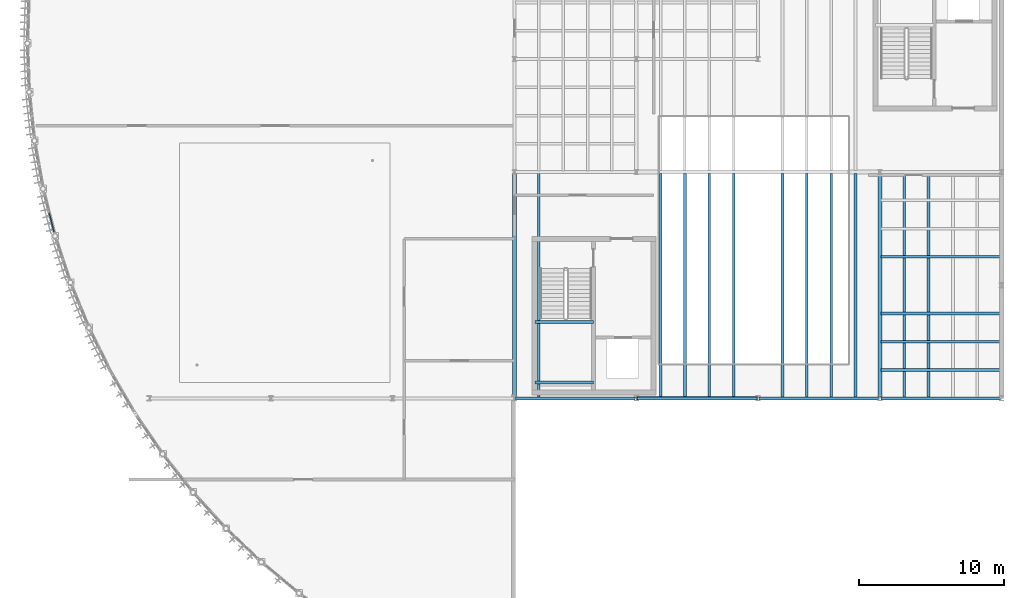
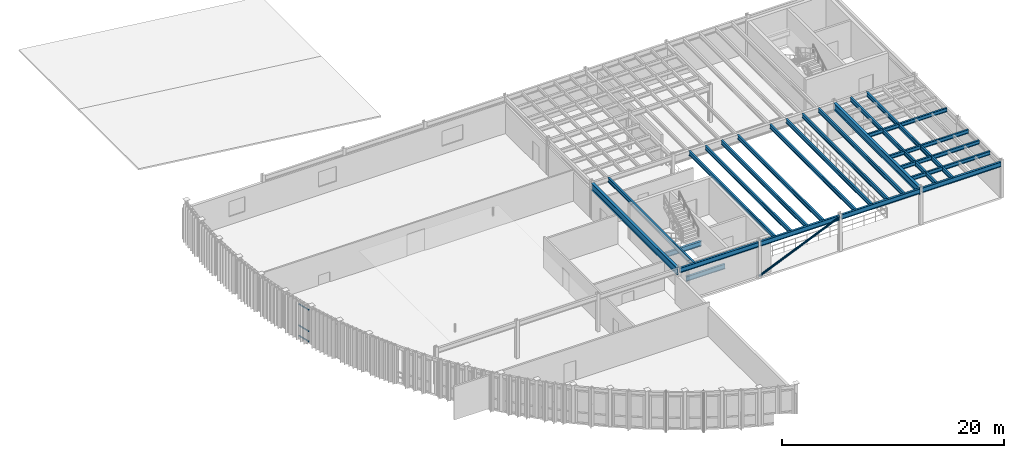
# One storey, part 12 of 26: 23 beams, 4 members, 1 element without a shape of its own.
"""IFC4 building model written with IfcOpenShell, lengths in metres."""

from ifc_helpers import new_model, si_unit, direction, frame, origin, origin_2d, place, context, subcontext, project, spatial, hollow_rectangle, hollow_circle, i_section, extrude, material, layer, layer_set, material_profile, profile_set, type_object, element, aggregate, save


model = new_model("IFC4")

# Units and contexts
model_context = context("Model", 3, precision=1e-05, world=origin(), true_north=direction((0.0, 1.0)))
body_context = subcontext(model_context, "Body", "Model", "MODEL_VIEW")
ifc_project = project(units=[si_unit("LENGTHUNIT", "METRE"), si_unit("AREAUNIT", "SQUARE_METRE"), si_unit("VOLUMEUNIT", "CUBIC_METRE"), si_unit("PLANEANGLEUNIT", "RADIAN"), si_unit("MASSUNIT", "GRAM", prefix="KILO")], contexts=[model_context])

# Site, building, storey
site_placement = place(None, origin())
site = spatial("IfcSite", under=ifc_project, at=site_placement, CompositionType="ELEMENT")
building_placement = place(site_placement, origin())
building = spatial("IfcBuilding", under=site, at=building_placement, Name="Selat Folded Stagehouse", CompositionType="ELEMENT")
storey_placement = place(building_placement, frame((0.0, 0.0, 23.39990234375)))
storey = spatial("IfcBuildingStorey", under=building, at=storey_placement, Name="L05", CompositionType="ELEMENT", Elevation=23.39990234375)

# Beams
ifc_material_1 = material(Name="Steel S355", Category="steel")
ifc_material_profile_1 = material_profile(ifc_material_1, i_section(OverallWidth=0.209228515625, OverallDepth=0.533203125, WebThickness=0.010009765625, FlangeThickness=0.015625, FilletRadius=0.0126953125, at=origin_2d()), Name="UKB 533x210x92")
ifc_profile_set_1 = profile_set([ifc_material_profile_1], Name="Steel S355")
beam_type_1 = type_object("IfcBeamType", Name="BM-GIRD-533x210x92", PredefinedType="BEAM", material=ifc_profile_set_1)
for number, where, z_axis, x_axis, name in (
    (1, (33.679931640625, 23.39990234375, 3.6884765625), (1.0, 0.0, 0.0), (0.0, 1.0, 0.0), "L05 primary x-girder 1422"),
    (2, (42.080078125, 23.39990234375, 3.6884765625), (1.0, 0.0, 0.0), (0.0, 1.0, 0.0), "L05 primary x-girder 1423"),
    (3, (50.47998046875, 23.39990234375, 3.6884765625), (1.0, 0.0, 0.0), (0.0, 1.0, 0.0), "L05 primary x-girder 1424"),
):
    element("IfcBeam", number, at=place(storey_placement, frame(where, z_axis=z_axis, x_axis=x_axis)), inside=storey, type_object=beam_type_1, Name=name, PredefinedType="BEAM", context=body_context, shape_type="SweptSolid", body=[
        extrude(i_section(OverallWidth=0.209228515625, OverallDepth=0.533203125, WebThickness=0.010009765625, FlangeThickness=0.015625, FilletRadius=0.0126953125, at=origin_2d()), origin(), (0.0, 0.0, 1.0), 8.239990234375),
    ])
beam_1_placement = place(storey_placement, frame((58.8798828125, 23.39990234375, 3.6884765625), z_axis=(1.0, 0.0, 0.0), x_axis=(0.0, 1.0, 0.0)))
element("IfcBeam", 4, at=beam_1_placement, inside=storey, type_object=beam_type_1, Name="L05 primary x-girder 1425", PredefinedType="BEAM", context=body_context, shape_type="SweptSolid", body=[
    extrude(i_section(OverallWidth=0.209228515625, OverallDepth=0.533203125, WebThickness=0.010009765625, FlangeThickness=0.015625, FilletRadius=0.0126953125, at=origin_2d()), origin(), (0.0, 0.0, 1.0), 8.240234375),
])
for number, where, z_axis, x_axis, name in (
    (5, (35.0, 24.489990234375, 1.633544921875), (1.0, 0.0, 0.0), (0.0, 1.0, 0.0), "L05 ST-01 landing support beam 1"),
    (6, (35.0, 28.669921875, 1.633544921875), (1.0, 0.0, 0.0), (0.0, 1.0, 0.0), "L05 ST-01 landing support beam 2"),
):
    element("IfcBeam", number, at=place(storey_placement, frame(where, z_axis=z_axis, x_axis=x_axis)), inside=storey, type_object=beam_type_1, Name=name, PredefinedType="BEAM", context=body_context, shape_type="SweptSolid", body=[
        extrude(i_section(OverallWidth=0.209228515625, OverallDepth=0.533203125, WebThickness=0.010009765625, FlangeThickness=0.015625, FilletRadius=0.0126953125, at=origin_2d()), origin(), (0.0, 0.0, 1.0), 4.050048828125),
    ])
ifc_material_profile_2 = material_profile(ifc_material_1, i_section(OverallWidth=0.26806640625, OverallDepth=0.769775390625, WebThickness=0.015625, FlangeThickness=0.025390625, FilletRadius=0.0166015625, at=origin_2d()), Name="UKB 762x267x197")
ifc_profile_set_2 = profile_set([ifc_material_profile_2], Name="Steel S355")
beam_type_2 = type_object("IfcBeamType", Name="BM-GIRD-762x267x197", PredefinedType="BEAM", material=ifc_profile_set_2)
for number, where, z_axis, x_axis, name in (
    (7, (33.60009765625, 23.47998046875, 3.5703125), (0.0, 1.0, 0.0), (-1.0, 0.0, 0.0), "L05 primary y-girder 1438"),
    (8, (58.800048828125, 23.47998046875, 3.5703125), (0.0, 1.0, 0.0), (-1.0, 0.0, 0.0), "L05 primary y-girder 1444"),
):
    element("IfcBeam", number, at=place(storey_placement, frame(where, z_axis=z_axis, x_axis=x_axis)), inside=storey, type_object=beam_type_2, Name=name, PredefinedType="BEAM", context=body_context, shape_type="SweptSolid", body=[
        extrude(i_section(OverallWidth=0.26806640625, OverallDepth=0.769775390625, WebThickness=0.015625, FlangeThickness=0.025390625, FilletRadius=0.0166015625, at=origin_2d()), origin(), (0.0, 0.0, 1.0), 15.43994140625),
    ])

# Curtain wall, members
ifc_material_2 = material(Name="Aluminium 6063-T6", Category="aluminium")
ifc_layer = layer(ifc_material_2, 0.18505859375)
ifc_layer_set = layer_set([ifc_layer], Name="Aluminium 6063-T6")
curtain_wall_type = type_object("IfcCurtainWallType", Name="CW-DRM-UPPER", PredefinedType="NOTDEFINED", material=ifc_layer_set)
curtain_wall_placement = place(storey_placement, origin())
curtain_wall = element("IfcCurtainWall", 9, at=curtain_wall_placement, inside=storey, type_object=curtain_wall_type, Name="L05 curtain wall CW-DRM-L05-05", PredefinedType="NOTDEFINED")
ifc_material_profile_3 = material_profile(ifc_material_2, hollow_rectangle(XDim=0.06494140625, YDim=0.139892578125, WallThickness=0.00390625, at=origin_2d()), Name="ALU 140x65x4.0")
ifc_profile_set_3 = profile_set([ifc_material_profile_3], Name="Aluminium 6063-T6")
member_type_1 = type_object("IfcMemberType", Name="CWM-TRN-140x65", PredefinedType="USERDEFINED", material=ifc_profile_set_3)
member_1_placement = place(storey_placement, frame((1.835693359375, 34.88916015625, 0.03271484375), z_axis=(-0.245584768356, 0.969375119111, 0.0), x_axis=(-0.969375119111, -0.245584768356, 0.0)))
member_1 = element("IfcMember", 10, at=member_1_placement, type_object=member_type_1, Name="CW-03 transom 1.1", ObjectType="TRANSOM", PredefinedType="USERDEFINED", context=body_context, shape_type="SweptSolid", body=[
    extrude(hollow_rectangle(XDim=0.06494140625, YDim=0.139892578125, WallThickness=0.00390625, at=origin_2d()), origin(), (0.0, 0.0, 1.0), 1.337158203125),
])
member_2_placement = place(storey_placement, frame((1.835693359375, 34.88916015625, 1.150146484375), z_axis=(-0.245584768356, 0.969375119111, 0.0), x_axis=(-0.969375119111, -0.245584768356, 0.0)))
member_2 = element("IfcMember", 11, at=member_2_placement, type_object=member_type_1, Name="CW-03 transom 1.2", ObjectType="TRANSOM", PredefinedType="USERDEFINED", context=body_context, shape_type="SweptSolid", body=[
    extrude(hollow_rectangle(XDim=0.06494140625, YDim=0.139892578125, WallThickness=0.00390625, at=origin_2d()), origin(), (0.0, 0.0, 1.0), 1.337158203125),
])
member_3_placement = place(storey_placement, frame((1.835693359375, 34.88916015625, 3.502685546875), z_axis=(-0.245584768356, 0.969375119111, 0.0), x_axis=(-0.969375119111, -0.245584768356, 0.0)))
member_3 = element("IfcMember", 12, at=member_3_placement, type_object=member_type_1, Name="CW-03 transom 1.3", ObjectType="TRANSOM", PredefinedType="USERDEFINED", context=body_context, shape_type="SweptSolid", body=[
    extrude(hollow_rectangle(XDim=0.06494140625, YDim=0.139892578125, WallThickness=0.00390625, at=origin_2d()), origin(), (0.0, 0.0, 1.0), 1.337158203125),
])
aggregate(curtain_wall, [member_1, member_2, member_3])

# Beams
ifc_material_profile_4 = material_profile(ifc_material_1, i_section(OverallWidth=0.177978515625, OverallDepth=0.406494140625, WebThickness=0.0078125, FlangeThickness=0.0126953125, FilletRadius=0.01025390625, at=origin_2d()), Name="UKB 406x178x60")
ifc_profile_set_4 = profile_set([ifc_material_profile_4], Name="Steel S355")
beam_type_3 = type_object("IfcBeamType", Name="JST-406x178x60", PredefinedType="JOIST", material=ifc_profile_set_4)
for number, where, z_axis, x_axis, name in (
    (13, (58.893798828125, 25.35009765625, 3.751953125), (1.0, 0.0, 0.0), (0.0, 1.0, 0.0), "L05 secondary x-joist 1481"),
    (14, (58.893798828125, 27.300048828125, 3.751953125), (1.0, 0.0, 0.0), (0.0, 1.0, 0.0), "L05 secondary x-joist 1482"),
    (15, (58.893798828125, 29.25, 3.751953125), (1.0, 0.0, 0.0), (0.0, 1.0, 0.0), "L05 secondary x-joist 1483"),
    (16, (58.893798828125, 33.14990234375, 3.751953125), (1.0, 0.0, 0.0), (0.0, 1.0, 0.0), "L05 secondary x-joist 1484"),
):
    element("IfcBeam", number, at=place(storey_placement, frame(where, z_axis=z_axis, x_axis=x_axis)), inside=storey, type_object=beam_type_3, Name=name, PredefinedType="JOIST", context=body_context, shape_type="SweptSolid", body=[
        extrude(i_section(OverallWidth=0.177978515625, OverallDepth=0.406494140625, WebThickness=0.0078125, FlangeThickness=0.0126953125, FilletRadius=0.01025390625, at=origin_2d()), origin(), (0.0, 0.0, 1.0), 8.232421875),
    ])
ifc_material_profile_5 = material_profile(ifc_material_1, i_section(OverallWidth=0.18994140625, OverallDepth=0.453369140625, WebThickness=0.008544921875, FlangeThickness=0.0126953125, FilletRadius=0.01025390625, at=origin_2d()), Name="UKB 457x191x67")
ifc_profile_set_5 = profile_set([ifc_material_profile_5], Name="Steel S355")
beam_type_4 = type_object("IfcBeamType", Name="JST-457x191x67", PredefinedType="JOIST", material=ifc_profile_set_5)
beam_2_placement = place(storey_placement, frame((35.280029296875, 23.473388671875, 3.728515625), z_axis=(0.0, 1.0, 0.0), x_axis=(-1.0, 0.0, 0.0)))
element("IfcBeam", 17, at=beam_2_placement, inside=storey, type_object=beam_type_4, Name="L05 secondary floor joist 1448", PredefinedType="JOIST", context=body_context, shape_type="SweptSolid", body=[
    extrude(i_section(OverallWidth=0.18994140625, OverallDepth=0.453369140625, WebThickness=0.008544921875, FlangeThickness=0.0126953125, FilletRadius=0.01025390625, at=origin_2d()), origin(), (0.0, 0.0, 1.0), 15.453369140625),
])
for number, where, z_axis, x_axis, name in (
    (18, (43.679931640625, 23.473388671875, 3.728515625), (0.0, 1.0, 0.0), (-1.0, 0.0, 0.0), "L05 secondary floor joist 1457"),
    (19, (45.360107421875, 23.473388671875, 3.728515625), (0.0, 1.0, 0.0), (-1.0, 0.0, 0.0), "L05 secondary floor joist 1460"),
    (20, (47.0400390625, 23.473388671875, 3.728515625), (0.0, 1.0, 0.0), (-1.0, 0.0, 0.0), "L05 secondary floor joist 1463"),
    (21, (48.719970703125, 23.473388671875, 3.728515625), (0.0, 1.0, 0.0), (-1.0, 0.0, 0.0), "L05 secondary floor joist 1466"),
    (22, (52.080078125, 23.473388671875, 3.728515625), (0.0, 1.0, 0.0), (-1.0, 0.0, 0.0), "L05 secondary floor joist 1469"),
    (23, (53.760009765625, 23.473388671875, 3.728515625), (0.0, 1.0, 0.0), (-1.0, 0.0, 0.0), "L05 secondary floor joist 1471"),
    (24, (55.43994140625, 23.473388671875, 3.728515625), (0.0, 1.0, 0.0), (-1.0, 0.0, 0.0), "L05 secondary floor joist 1473"),
    (25, (57.1201171875, 23.473388671875, 3.728515625), (0.0, 1.0, 0.0), (-1.0, 0.0, 0.0), "L05 secondary floor joist 1475"),
):
    element("IfcBeam", number, at=place(storey_placement, frame(where, z_axis=z_axis, x_axis=x_axis)), inside=storey, type_object=beam_type_4, Name=name, PredefinedType="JOIST", context=body_context, shape_type="SweptSolid", body=[
        extrude(i_section(OverallWidth=0.18994140625, OverallDepth=0.453369140625, WebThickness=0.008544921875, FlangeThickness=0.0126953125, FilletRadius=0.01025390625, at=origin_2d()), origin(), (0.0, 0.0, 1.0), 15.423828125),
    ])
for number, where, z_axis, x_axis, name in (
    (26, (60.47998046875, 23.473388671875, 3.728515625), (0.0, 1.0, 0.0), (-1.0, 0.0, 0.0), "L05 secondary floor joist 1477"),
    (27, (62.159912109375, 23.473388671875, 3.728515625), (0.0, 1.0, 0.0), (-1.0, 0.0, 0.0), "L05 secondary floor joist 1478"),
):
    element("IfcBeam", number, at=place(storey_placement, frame(where, z_axis=z_axis, x_axis=x_axis)), inside=storey, type_object=beam_type_4, Name=name, PredefinedType="JOIST", context=body_context, shape_type="SweptSolid", body=[
        extrude(i_section(OverallWidth=0.18994140625, OverallDepth=0.453369140625, WebThickness=0.008544921875, FlangeThickness=0.0126953125, FilletRadius=0.01025390625, at=origin_2d()), origin(), (0.0, 0.0, 1.0), 15.453369140625),
    ])

# Member
ifc_material_profile_6 = material_profile(ifc_material_1, hollow_circle(Radius=0.109619140625, WallThickness=0.010009765625, at=origin_2d()), Name="CHS 219.1x10.0")
ifc_profile_set_6 = profile_set([ifc_material_profile_6], Name="Steel S355")
member_type_2 = type_object("IfcMemberType", Name="MEM-BRACE-INT219", PredefinedType="BRACE", material=ifc_profile_set_6)
member_4_placement = place(storey_placement, frame((42.0, 23.39990234375, 0.150146484375), z_axis=(0.919149175366, 0.0, 0.39390962596), x_axis=(0.0, 1.0, 0.0)))
element("IfcMember", 28, at=member_4_placement, inside=storey, type_object=member_type_2, Name="L05 vertical frame brace 06", PredefinedType="BRACE", context=body_context, shape_type="SweptSolid", body=[
    extrude(hollow_circle(Radius=0.109619140625, WallThickness=0.010009765625, at=origin_2d()), origin(), (0.0, 0.0, 1.0), 9.138671875),
])

save(model, "model.ifc")
